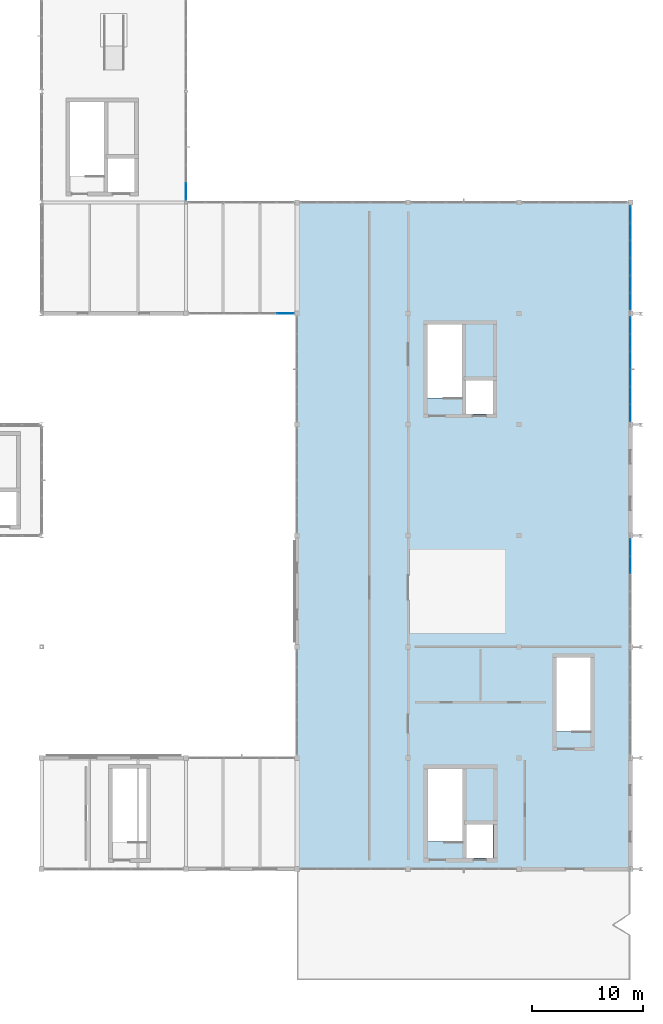
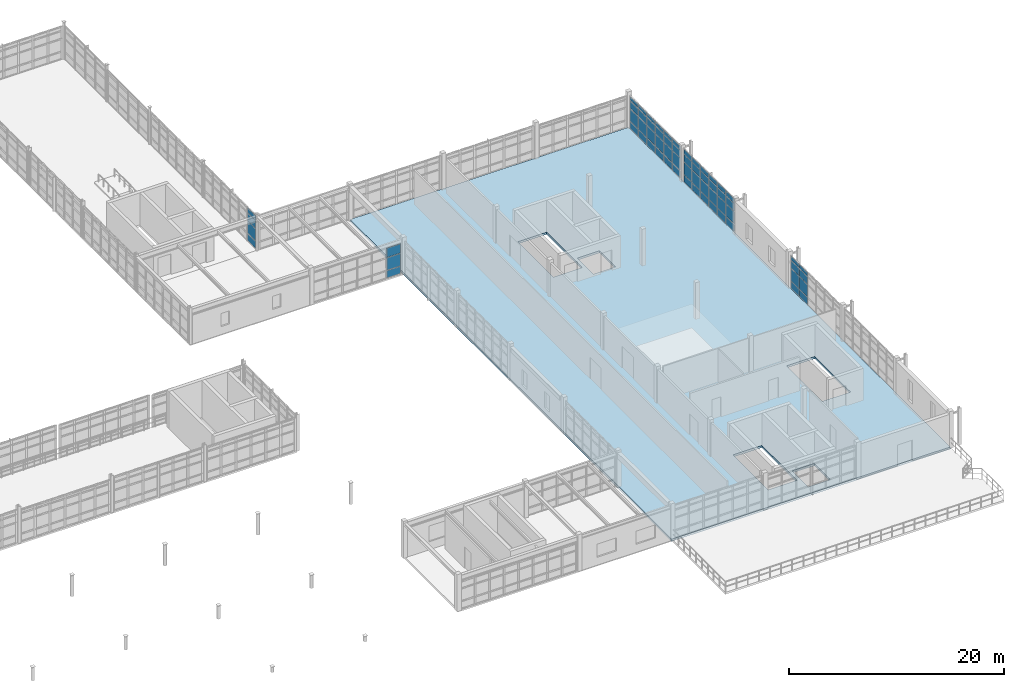
# One storey, part 92 of 122: 63 plates, 1 slab, 5 elements without a shape of their own.
"""IFC4 building model written with IfcOpenShell, lengths in metres."""

from ifc_helpers import new_model, si_unit, direction, frame, origin, origin_2d, place, context, subcontext, project, spatial, polyline, rectangle, outline, extrude, material, layer, layer_set, type_object, element, aggregate, save


model = new_model("IFC4")

# Units and contexts
model_context = context("Model", 3, precision=1e-05, world=origin(), true_north=direction((0.0, 1.0)))
body_context = subcontext(model_context, "Body", "Model", "MODEL_VIEW")
ifc_project = project(units=[si_unit("LENGTHUNIT", "METRE"), si_unit("AREAUNIT", "SQUARE_METRE"), si_unit("VOLUMEUNIT", "CUBIC_METRE"), si_unit("PLANEANGLEUNIT", "RADIAN"), si_unit("MASSUNIT", "GRAM", prefix="KILO"), si_unit("THERMODYNAMICTEMPERATUREUNIT", "KELVIN"), si_unit("POWERUNIT", "WATT")], contexts=[model_context])

# Site, building, storey
site_placement = place(None, origin())
site = spatial("IfcSite", under=ifc_project, at=site_placement, CompositionType="ELEMENT")
building_placement = place(site_placement, origin())
building = spatial("IfcBuilding", under=site, at=building_placement, Name="Korenveer Ferry Terminal", CompositionType="ELEMENT")
storey_placement = place(building_placement, frame((0.0, 0.0, 10.199951171875)))
storey = spatial("IfcBuildingStorey", under=building, at=storey_placement, Name="L02", CompositionType="ELEMENT", Elevation=10.199951171875)

# Curtain wall, plates
ifc_material_1 = material(Name="Unitised bronze-and-glass curtain wall", Category="glass")
ifc_layer_1 = layer(ifc_material_1, 0.159912109375)
ifc_layer_set_1 = layer_set([ifc_layer_1], Name="Unitised bronze-and-glass curtain wall")
curtain_wall_type_1 = type_object("IfcCurtainWallType", Name="ENV-CW-89", PredefinedType="USERDEFINED", material=ifc_layer_set_1)
curtain_wall_1_placement = place(storey_placement, frame((136.2548828125, 70.0, 0.0)))
curtain_wall_1 = element("IfcCurtainWall", 1, at=curtain_wall_1_placement, inside=storey, type_object=curtain_wall_type_1, Name="Lancet curtain wall CWX-L02-X136-146-Y70-70", ObjectType="UNITISED CURTAIN WALL", PredefinedType="USERDEFINED")
ifc_material_2 = material(Name="Low-iron solar-control double glazing", Category="glass")
ifc_layer_2 = layer(ifc_material_2, 0.028076171875)
ifc_layer_set_2 = layer_set([ifc_layer_2], Name="Low-iron solar-control double glazing")
plate_type_1 = type_object("IfcPlateType", Name="ENV-CWP-GLZ28", PredefinedType="CURTAIN_PANEL", material=ifc_layer_set_2)
plate_1_placement = place(storey_placement, frame((144.939208984375, 70.0, 0.06005859375), z_axis=(0.0, 0.0, 1.0), x_axis=(1.0, 0.0, 0.0)))
plate_1 = element("IfcPlate", 2, at=plate_1_placement, type_object=plate_type_1, Name="CW-89 panel 6.1", PredefinedType="CURTAIN_PANEL", context=body_context, shape_type="SweptSolid", body=[
    extrude(rectangle(XDim=1.49169921875, YDim=0.028076171875, at=origin_2d()), origin(), (0.0, 0.0, 1.0), 0.81005859375),
])
plate_2_placement = place(storey_placement, frame((144.939208984375, 70.0, 0.93017578125), z_axis=(0.0, 0.0, 1.0), x_axis=(1.0, 0.0, 0.0)))
plate_2 = element("IfcPlate", 3, at=plate_2_placement, type_object=plate_type_1, Name="CW-89 panel 6.2", PredefinedType="CURTAIN_PANEL", context=body_context, shape_type="SweptSolid", body=[
    extrude(rectangle(XDim=1.49169921875, YDim=0.028076171875, at=origin_2d()), origin(), (0.0, 0.0, 1.0), 1.389892578125),
])
plate_3_placement = place(storey_placement, frame((144.939208984375, 70.0, 2.380126953125), z_axis=(0.0, 0.0, 1.0), x_axis=(1.0, 0.0, 0.0)))
plate_3 = element("IfcPlate", 4, at=plate_3_placement, type_object=plate_type_1, Name="CW-89 panel 6.3", PredefinedType="CURTAIN_PANEL", context=body_context, shape_type="SweptSolid", body=[
    extrude(rectangle(XDim=1.49169921875, YDim=0.028076171875, at=origin_2d()), origin(), (0.0, 0.0, 1.0), 1.0400390625),
])
aggregate(curtain_wall_1, [plate_1, plate_2, plate_3])

ifc_layer_3 = layer(ifc_material_1, 0.159912109375)
ifc_layer_set_3 = layer_set([ifc_layer_3], Name="Unitised bronze-and-glass curtain wall")
curtain_wall_type_2 = type_object("IfcCurtainWallType", Name="ENV-CW-87", PredefinedType="USERDEFINED", material=ifc_layer_set_3)
curtain_wall_2_placement = place(storey_placement, frame((176.0, 49.7451171875, 0.0)))
curtain_wall_2 = element("IfcCurtainWall", 5, at=curtain_wall_2_placement, inside=storey, type_object=curtain_wall_type_2, Name="Lancet curtain wall CWX-L02-X176-176-Y40-50", ObjectType="UNITISED CURTAIN WALL", PredefinedType="USERDEFINED")
plate_4_placement = place(storey_placement, frame((176.0, 48.939208984375, 0.06005859375), z_axis=(0.0, 0.0, 1.0), x_axis=(0.0, -1.0, 0.0)))
plate_4 = element("IfcPlate", 6, at=plate_4_placement, type_object=plate_type_1, Name="CW-87 panel 1.1", PredefinedType="CURTAIN_PANEL", context=body_context, shape_type="SweptSolid", body=[
    extrude(rectangle(XDim=1.49169921875, YDim=0.028076171875, at=origin_2d()), origin(), (0.0, 0.0, 1.0), 0.81005859375),
])
plate_5_placement = place(storey_placement, frame((176.0, 48.939208984375, 0.93017578125), z_axis=(0.0, 0.0, 1.0), x_axis=(0.0, -1.0, 0.0)))
plate_5 = element("IfcPlate", 7, at=plate_5_placement, type_object=plate_type_1, Name="CW-87 panel 1.2", PredefinedType="CURTAIN_PANEL", context=body_context, shape_type="SweptSolid", body=[
    extrude(rectangle(XDim=1.49169921875, YDim=0.028076171875, at=origin_2d()), origin(), (0.0, 0.0, 1.0), 1.389892578125),
])
plate_6_placement = place(storey_placement, frame((176.0, 48.939208984375, 2.3798828125), z_axis=(0.0, 0.0, 1.0), x_axis=(0.0, -1.0, 0.0)))
plate_6 = element("IfcPlate", 8, at=plate_6_placement, type_object=plate_type_1, Name="CW-87 panel 1.3", PredefinedType="CURTAIN_PANEL", context=body_context, shape_type="SweptSolid", body=[
    extrude(rectangle(XDim=1.49169921875, YDim=0.028076171875, at=origin_2d()), origin(), (0.0, 0.0, 1.0), 0.840087890625),
])
plate_7_placement = place(storey_placement, frame((176.0, 48.939208984375, 3.280029296875), z_axis=(0.0, 0.0, 1.0), x_axis=(0.0, -1.0, 0.0)))
plate_7 = element("IfcPlate", 9, at=plate_7_placement, type_object=plate_type_1, Name="CW-87 panel 1.4", PredefinedType="CURTAIN_PANEL", context=body_context, shape_type="SweptSolid", body=[
    extrude(rectangle(XDim=1.49169921875, YDim=0.028076171875, at=origin_2d()), origin(), (0.0, 0.0, 1.0), 0.419921875),
])
plate_8_placement = place(storey_placement, frame((176.0, 47.37255859375, 0.06005859375), z_axis=(0.0, 0.0, 1.0), x_axis=(0.0, -1.0, 0.0)))
plate_8 = element("IfcPlate", 10, at=plate_8_placement, type_object=plate_type_1, Name="CW-87 panel 2.1", PredefinedType="CURTAIN_PANEL", context=body_context, shape_type="SweptSolid", body=[
    extrude(rectangle(XDim=1.521728515625, YDim=0.028076171875, at=origin_2d()), origin(), (0.0, 0.0, 1.0), 0.81005859375),
])
plate_9_placement = place(storey_placement, frame((176.0, 47.37255859375, 0.93017578125), z_axis=(0.0, 0.0, 1.0), x_axis=(0.0, -1.0, 0.0)))
plate_9 = element("IfcPlate", 11, at=plate_9_placement, type_object=plate_type_1, Name="CW-87 panel 2.2", PredefinedType="CURTAIN_PANEL", context=body_context, shape_type="SweptSolid", body=[
    extrude(rectangle(XDim=1.521728515625, YDim=0.028076171875, at=origin_2d()), origin(), (0.0, 0.0, 1.0), 1.389892578125),
])
plate_10_placement = place(storey_placement, frame((176.0, 47.37255859375, 2.3798828125), z_axis=(0.0, 0.0, 1.0), x_axis=(0.0, -1.0, 0.0)))
plate_10 = element("IfcPlate", 12, at=plate_10_placement, type_object=plate_type_1, Name="CW-87 panel 2.3", PredefinedType="CURTAIN_PANEL", context=body_context, shape_type="SweptSolid", body=[
    extrude(rectangle(XDim=1.521728515625, YDim=0.028076171875, at=origin_2d()), origin(), (0.0, 0.0, 1.0), 0.840087890625),
])
plate_11_placement = place(storey_placement, frame((176.0, 47.37255859375, 3.280029296875), z_axis=(0.0, 0.0, 1.0), x_axis=(0.0, -1.0, 0.0)))
plate_11 = element("IfcPlate", 13, at=plate_11_placement, type_object=plate_type_1, Name="CW-87 panel 2.4", PredefinedType="CURTAIN_PANEL", context=body_context, shape_type="SweptSolid", body=[
    extrude(rectangle(XDim=1.521728515625, YDim=0.028076171875, at=origin_2d()), origin(), (0.0, 0.0, 1.0), 0.419921875),
])
aggregate(curtain_wall_2, [plate_4, plate_5, plate_6, plate_7, plate_8, plate_9, plate_10, plate_11])

ifc_layer_4 = layer(ifc_material_1, 0.159912109375)
ifc_layer_set_4 = layer_set([ifc_layer_4], Name="Unitised bronze-and-glass curtain wall")
curtain_wall_type_3 = type_object("IfcCurtainWallType", Name="ENV-CW-86", PredefinedType="USERDEFINED", material=ifc_layer_set_4)
curtain_wall_3_placement = place(storey_placement, frame((176.0, 69.7451171875, 0.0)))
curtain_wall_3 = element("IfcCurtainWall", 14, at=curtain_wall_3_placement, inside=storey, type_object=curtain_wall_type_3, Name="Lancet curtain wall CWX-L02-X176-176-Y60-70", ObjectType="UNITISED CURTAIN WALL", PredefinedType="USERDEFINED")
plate_12_placement = place(storey_placement, frame((176.0, 68.939208984375, 0.06005859375), z_axis=(0.0, 0.0, 1.0), x_axis=(0.0, -1.0, 0.0)))
plate_12 = element("IfcPlate", 15, at=plate_12_placement, type_object=plate_type_1, Name="CW-86 panel 1.1", PredefinedType="CURTAIN_PANEL", context=body_context, shape_type="SweptSolid", body=[
    extrude(rectangle(XDim=1.49169921875, YDim=0.028076171875, at=origin_2d()), origin(), (0.0, 0.0, 1.0), 0.81005859375),
])
plate_13_placement = place(storey_placement, frame((176.0, 68.939208984375, 0.93017578125), z_axis=(0.0, 0.0, 1.0), x_axis=(0.0, -1.0, 0.0)))
plate_13 = element("IfcPlate", 16, at=plate_13_placement, type_object=plate_type_1, Name="CW-86 panel 1.2", PredefinedType="CURTAIN_PANEL", context=body_context, shape_type="SweptSolid", body=[
    extrude(rectangle(XDim=1.49169921875, YDim=0.028076171875, at=origin_2d()), origin(), (0.0, 0.0, 1.0), 1.389892578125),
])
plate_14_placement = place(storey_placement, frame((176.0, 68.939208984375, 2.3798828125), z_axis=(0.0, 0.0, 1.0), x_axis=(0.0, -1.0, 0.0)))
plate_14 = element("IfcPlate", 17, at=plate_14_placement, type_object=plate_type_1, Name="CW-86 panel 1.3", PredefinedType="CURTAIN_PANEL", context=body_context, shape_type="SweptSolid", body=[
    extrude(rectangle(XDim=1.49169921875, YDim=0.028076171875, at=origin_2d()), origin(), (0.0, 0.0, 1.0), 0.840087890625),
])
plate_15_placement = place(storey_placement, frame((176.0, 68.939208984375, 3.280029296875), z_axis=(0.0, 0.0, 1.0), x_axis=(0.0, -1.0, 0.0)))
plate_15 = element("IfcPlate", 18, at=plate_15_placement, type_object=plate_type_1, Name="CW-86 panel 1.4", PredefinedType="CURTAIN_PANEL", context=body_context, shape_type="SweptSolid", body=[
    extrude(rectangle(XDim=1.49169921875, YDim=0.028076171875, at=origin_2d()), origin(), (0.0, 0.0, 1.0), 0.52001953125),
])
plate_16_placement = place(storey_placement, frame((176.0, 67.37255859375, 0.06005859375), z_axis=(0.0, 0.0, 1.0), x_axis=(0.0, -1.0, 0.0)))
plate_16 = element("IfcPlate", 19, at=plate_16_placement, type_object=plate_type_1, Name="CW-86 panel 2.1", PredefinedType="CURTAIN_PANEL", context=body_context, shape_type="SweptSolid", body=[
    extrude(rectangle(XDim=1.521728515625, YDim=0.028076171875, at=origin_2d()), origin(), (0.0, 0.0, 1.0), 0.81005859375),
])
plate_17_placement = place(storey_placement, frame((176.0, 67.37255859375, 0.93017578125), z_axis=(0.0, 0.0, 1.0), x_axis=(0.0, -1.0, 0.0)))
plate_17 = element("IfcPlate", 20, at=plate_17_placement, type_object=plate_type_1, Name="CW-86 panel 2.2", PredefinedType="CURTAIN_PANEL", context=body_context, shape_type="SweptSolid", body=[
    extrude(rectangle(XDim=1.521728515625, YDim=0.028076171875, at=origin_2d()), origin(), (0.0, 0.0, 1.0), 1.389892578125),
])
plate_18_placement = place(storey_placement, frame((176.0, 67.37255859375, 2.3798828125), z_axis=(0.0, 0.0, 1.0), x_axis=(0.0, -1.0, 0.0)))
plate_18 = element("IfcPlate", 21, at=plate_18_placement, type_object=plate_type_1, Name="CW-86 panel 2.3", PredefinedType="CURTAIN_PANEL", context=body_context, shape_type="SweptSolid", body=[
    extrude(rectangle(XDim=1.521728515625, YDim=0.028076171875, at=origin_2d()), origin(), (0.0, 0.0, 1.0), 0.840087890625),
])
plate_19_placement = place(storey_placement, frame((176.0, 67.37255859375, 3.280029296875), z_axis=(0.0, 0.0, 1.0), x_axis=(0.0, -1.0, 0.0)))
plate_19 = element("IfcPlate", 22, at=plate_19_placement, type_object=plate_type_1, Name="CW-86 panel 2.4", PredefinedType="CURTAIN_PANEL", context=body_context, shape_type="SweptSolid", body=[
    extrude(rectangle(XDim=1.521728515625, YDim=0.028076171875, at=origin_2d()), origin(), (0.0, 0.0, 1.0), 0.52001953125),
])
plate_20_placement = place(storey_placement, frame((176.0, 65.790771484375, 0.06005859375), z_axis=(0.0, 0.0, 1.0), x_axis=(0.0, -1.0, 0.0)))
plate_20 = element("IfcPlate", 23, at=plate_20_placement, type_object=plate_type_1, Name="CW-86 panel 3.1", PredefinedType="CURTAIN_PANEL", context=body_context, shape_type="SweptSolid", body=[
    extrude(rectangle(XDim=1.521728515625, YDim=0.028076171875, at=origin_2d()), origin(), (0.0, 0.0, 1.0), 0.81005859375),
])
plate_21_placement = place(storey_placement, frame((176.0, 65.790771484375, 0.93017578125), z_axis=(0.0, 0.0, 1.0), x_axis=(0.0, -1.0, 0.0)))
plate_21 = element("IfcPlate", 24, at=plate_21_placement, type_object=plate_type_1, Name="CW-86 panel 3.2", PredefinedType="CURTAIN_PANEL", context=body_context, shape_type="SweptSolid", body=[
    extrude(rectangle(XDim=1.521728515625, YDim=0.028076171875, at=origin_2d()), origin(), (0.0, 0.0, 1.0), 1.389892578125),
])
plate_22_placement = place(storey_placement, frame((176.0, 65.790771484375, 2.3798828125), z_axis=(0.0, 0.0, 1.0), x_axis=(0.0, -1.0, 0.0)))
plate_22 = element("IfcPlate", 25, at=plate_22_placement, type_object=plate_type_1, Name="CW-86 panel 3.3", PredefinedType="CURTAIN_PANEL", context=body_context, shape_type="SweptSolid", body=[
    extrude(rectangle(XDim=1.521728515625, YDim=0.028076171875, at=origin_2d()), origin(), (0.0, 0.0, 1.0), 0.840087890625),
])
plate_23_placement = place(storey_placement, frame((176.0, 65.790771484375, 3.280029296875), z_axis=(0.0, 0.0, 1.0), x_axis=(0.0, -1.0, 0.0)))
plate_23 = element("IfcPlate", 26, at=plate_23_placement, type_object=plate_type_1, Name="CW-86 panel 3.4", PredefinedType="CURTAIN_PANEL", context=body_context, shape_type="SweptSolid", body=[
    extrude(rectangle(XDim=1.521728515625, YDim=0.028076171875, at=origin_2d()), origin(), (0.0, 0.0, 1.0), 0.52001953125),
])
plate_24_placement = place(storey_placement, frame((176.0, 64.209228515625, 0.06005859375), z_axis=(0.0, 0.0, 1.0), x_axis=(0.0, -1.0, 0.0)))
plate_24 = element("IfcPlate", 27, at=plate_24_placement, type_object=plate_type_1, Name="CW-86 panel 4.1", PredefinedType="CURTAIN_PANEL", context=body_context, shape_type="SweptSolid", body=[
    extrude(rectangle(XDim=1.521728515625, YDim=0.028076171875, at=origin_2d()), origin(), (0.0, 0.0, 1.0), 0.81005859375),
])
plate_25_placement = place(storey_placement, frame((176.0, 64.209228515625, 0.93017578125), z_axis=(0.0, 0.0, 1.0), x_axis=(0.0, -1.0, 0.0)))
plate_25 = element("IfcPlate", 28, at=plate_25_placement, type_object=plate_type_1, Name="CW-86 panel 4.2", PredefinedType="CURTAIN_PANEL", context=body_context, shape_type="SweptSolid", body=[
    extrude(rectangle(XDim=1.521728515625, YDim=0.028076171875, at=origin_2d()), origin(), (0.0, 0.0, 1.0), 1.389892578125),
])
plate_26_placement = place(storey_placement, frame((176.0, 64.209228515625, 2.3798828125), z_axis=(0.0, 0.0, 1.0), x_axis=(0.0, -1.0, 0.0)))
plate_26 = element("IfcPlate", 29, at=plate_26_placement, type_object=plate_type_1, Name="CW-86 panel 4.3", PredefinedType="CURTAIN_PANEL", context=body_context, shape_type="SweptSolid", body=[
    extrude(rectangle(XDim=1.521728515625, YDim=0.028076171875, at=origin_2d()), origin(), (0.0, 0.0, 1.0), 0.840087890625),
])
plate_27_placement = place(storey_placement, frame((176.0, 64.209228515625, 3.280029296875), z_axis=(0.0, 0.0, 1.0), x_axis=(0.0, -1.0, 0.0)))
plate_27 = element("IfcPlate", 30, at=plate_27_placement, type_object=plate_type_1, Name="CW-86 panel 4.4", PredefinedType="CURTAIN_PANEL", context=body_context, shape_type="SweptSolid", body=[
    extrude(rectangle(XDim=1.521728515625, YDim=0.028076171875, at=origin_2d()), origin(), (0.0, 0.0, 1.0), 0.52001953125),
])
plate_28_placement = place(storey_placement, frame((176.0, 62.62744140625, 0.06005859375), z_axis=(0.0, 0.0, 1.0), x_axis=(0.0, -1.0, 0.0)))
plate_28 = element("IfcPlate", 31, at=plate_28_placement, type_object=plate_type_1, Name="CW-86 panel 5.1", PredefinedType="CURTAIN_PANEL", context=body_context, shape_type="SweptSolid", body=[
    extrude(rectangle(XDim=1.521728515625, YDim=0.028076171875, at=origin_2d()), origin(), (0.0, 0.0, 1.0), 0.81005859375),
])
plate_29_placement = place(storey_placement, frame((176.0, 62.62744140625, 0.93017578125), z_axis=(0.0, 0.0, 1.0), x_axis=(0.0, -1.0, 0.0)))
plate_29 = element("IfcPlate", 32, at=plate_29_placement, type_object=plate_type_1, Name="CW-86 panel 5.2", PredefinedType="CURTAIN_PANEL", context=body_context, shape_type="SweptSolid", body=[
    extrude(rectangle(XDim=1.521728515625, YDim=0.028076171875, at=origin_2d()), origin(), (0.0, 0.0, 1.0), 1.389892578125),
])
plate_30_placement = place(storey_placement, frame((176.0, 62.62744140625, 2.3798828125), z_axis=(0.0, 0.0, 1.0), x_axis=(0.0, -1.0, 0.0)))
plate_30 = element("IfcPlate", 33, at=plate_30_placement, type_object=plate_type_1, Name="CW-86 panel 5.3", PredefinedType="CURTAIN_PANEL", context=body_context, shape_type="SweptSolid", body=[
    extrude(rectangle(XDim=1.521728515625, YDim=0.028076171875, at=origin_2d()), origin(), (0.0, 0.0, 1.0), 0.840087890625),
])
plate_31_placement = place(storey_placement, frame((176.0, 62.62744140625, 3.280029296875), z_axis=(0.0, 0.0, 1.0), x_axis=(0.0, -1.0, 0.0)))
plate_31 = element("IfcPlate", 34, at=plate_31_placement, type_object=plate_type_1, Name="CW-86 panel 5.4", PredefinedType="CURTAIN_PANEL", context=body_context, shape_type="SweptSolid", body=[
    extrude(rectangle(XDim=1.521728515625, YDim=0.028076171875, at=origin_2d()), origin(), (0.0, 0.0, 1.0), 0.52001953125),
])
plate_32_placement = place(storey_placement, frame((176.0, 61.060791015625, 0.06005859375), z_axis=(0.0, 0.0, 1.0), x_axis=(0.0, -1.0, 0.0)))
plate_32 = element("IfcPlate", 35, at=plate_32_placement, type_object=plate_type_1, Name="CW-86 panel 6.1", PredefinedType="CURTAIN_PANEL", context=body_context, shape_type="SweptSolid", body=[
    extrude(rectangle(XDim=1.49169921875, YDim=0.028076171875, at=origin_2d()), origin(), (0.0, 0.0, 1.0), 0.81005859375),
])
plate_33_placement = place(storey_placement, frame((176.0, 61.060791015625, 0.93017578125), z_axis=(0.0, 0.0, 1.0), x_axis=(0.0, -1.0, 0.0)))
plate_33 = element("IfcPlate", 36, at=plate_33_placement, type_object=plate_type_1, Name="CW-86 panel 6.2", PredefinedType="CURTAIN_PANEL", context=body_context, shape_type="SweptSolid", body=[
    extrude(rectangle(XDim=1.49169921875, YDim=0.028076171875, at=origin_2d()), origin(), (0.0, 0.0, 1.0), 1.389892578125),
])
plate_34_placement = place(storey_placement, frame((176.0, 61.060791015625, 2.3798828125), z_axis=(0.0, 0.0, 1.0), x_axis=(0.0, -1.0, 0.0)))
plate_34 = element("IfcPlate", 37, at=plate_34_placement, type_object=plate_type_1, Name="CW-86 panel 6.3", PredefinedType="CURTAIN_PANEL", context=body_context, shape_type="SweptSolid", body=[
    extrude(rectangle(XDim=1.49169921875, YDim=0.028076171875, at=origin_2d()), origin(), (0.0, 0.0, 1.0), 0.840087890625),
])
plate_35_placement = place(storey_placement, frame((176.0, 61.060791015625, 3.280029296875), z_axis=(0.0, 0.0, 1.0), x_axis=(0.0, -1.0, 0.0)))
plate_35 = element("IfcPlate", 38, at=plate_35_placement, type_object=plate_type_1, Name="CW-86 panel 6.4", PredefinedType="CURTAIN_PANEL", context=body_context, shape_type="SweptSolid", body=[
    extrude(rectangle(XDim=1.49169921875, YDim=0.028076171875, at=origin_2d()), origin(), (0.0, 0.0, 1.0), 0.52001953125),
])
aggregate(curtain_wall_3, [plate_12, plate_13, plate_14, plate_15, plate_16, plate_17, plate_18, plate_19, plate_20, plate_21, plate_22, plate_23, plate_24, plate_25, plate_26, plate_27, plate_28, plate_29, plate_30, plate_31, plate_32, plate_33, plate_34, plate_35])

ifc_layer_5 = layer(ifc_material_1, 0.219970703125)
ifc_layer_set_5 = layer_set([ifc_layer_5], Name="Unitised bronze-and-glass curtain wall")
curtain_wall_type_4 = type_object("IfcCurtainWallType", Name="ENV-CW-110", PredefinedType="USERDEFINED", material=ifc_layer_set_5)
curtain_wall_4_placement = place(storey_placement, frame((136.0, 89.83349609375, 0.0)))
curtain_wall_4 = element("IfcCurtainWall", 39, at=curtain_wall_4_placement, inside=storey, type_object=curtain_wall_type_4, Name="Lancet curtain wall CWX-L02-X136-136-Y80-90", ObjectType="UNITISED CURTAIN WALL", PredefinedType="USERDEFINED")
ifc_material_3 = material(Name="Acoustic laminated marine glazing", Category="glass")
ifc_layer_6 = layer(ifc_material_3, 0.035888671875)
ifc_layer_set_6 = layer_set([ifc_layer_6], Name="Acoustic laminated marine glazing")
plate_type_2 = type_object("IfcPlateType", Name="ENV-CWP-GLZ36", PredefinedType="CURTAIN_PANEL", material=ifc_layer_set_6)
plate_36_placement = place(storey_placement, frame((136.0, 80.99072265625, 0.074951171875), z_axis=(0.0, 0.0, 1.0), x_axis=(0.0, -1.0, 0.0)))
plate_36 = element("IfcPlate", 40, at=plate_36_placement, type_object=plate_type_2, Name="CW-110 panel 6.1", PredefinedType="CURTAIN_PANEL", context=body_context, shape_type="SweptSolid", body=[
    extrude(rectangle(XDim=1.498779296875, YDim=0.035888671875, at=origin_2d()), origin(), (0.0, 0.0, 1.0), 0.78759765625),
])
plate_37_placement = place(storey_placement, frame((136.0, 80.99072265625, 0.9375), z_axis=(0.0, 0.0, 1.0), x_axis=(0.0, -1.0, 0.0)))
plate_37 = element("IfcPlate", 41, at=plate_37_placement, type_object=plate_type_2, Name="CW-110 panel 6.2", PredefinedType="CURTAIN_PANEL", context=body_context, shape_type="SweptSolid", body=[
    extrude(rectangle(XDim=1.498779296875, YDim=0.035888671875, at=origin_2d()), origin(), (0.0, 0.0, 1.0), 1.375),
])
plate_38_placement = place(storey_placement, frame((136.0, 80.99072265625, 2.3876953125), z_axis=(0.0, 0.0, 1.0), x_axis=(0.0, -1.0, 0.0)))
plate_38 = element("IfcPlate", 42, at=plate_38_placement, type_object=plate_type_2, Name="CW-110 panel 6.3", PredefinedType="CURTAIN_PANEL", context=body_context, shape_type="SweptSolid", body=[
    extrude(rectangle(XDim=1.498779296875, YDim=0.035888671875, at=origin_2d()), origin(), (0.0, 0.0, 1.0), 0.824951171875),
])
plate_39_placement = place(storey_placement, frame((136.0, 80.99072265625, 3.28759765625), z_axis=(0.0, 0.0, 1.0), x_axis=(0.0, -1.0, 0.0)))
plate_39 = element("IfcPlate", 43, at=plate_39_placement, type_object=plate_type_2, Name="CW-110 panel 6.4", PredefinedType="CURTAIN_PANEL", context=body_context, shape_type="SweptSolid", body=[
    extrude(rectangle(XDim=1.498779296875, YDim=0.035888671875, at=origin_2d()), origin(), (0.0, 0.0, 1.0), 0.49755859375),
])
aggregate(curtain_wall_4, [plate_36, plate_37, plate_38, plate_39])

ifc_layer_7 = layer(ifc_material_1, 0.219970703125)
ifc_layer_set_7 = layer_set([ifc_layer_7], Name="Unitised bronze-and-glass curtain wall")
curtain_wall_type_5 = type_object("IfcCurtainWallType", Name="ENV-CW-100", PredefinedType="USERDEFINED", material=ifc_layer_set_7)
curtain_wall_5_placement = place(storey_placement, frame((176.0, 79.7451171875, 0.0)))
curtain_wall_5 = element("IfcCurtainWall", 44, at=curtain_wall_5_placement, inside=storey, type_object=curtain_wall_type_5, Name="Lancet curtain wall CWX-L02-X176-176-Y70-80", ObjectType="UNITISED CURTAIN WALL", PredefinedType="USERDEFINED")
plate_40_placement = place(storey_placement, frame((176.0, 78.935302734375, 0.074951171875), z_axis=(0.0, 0.0, 1.0), x_axis=(0.0, -1.0, 0.0)))
plate_40 = element("IfcPlate", 45, at=plate_40_placement, type_object=plate_type_2, Name="CW-100 panel 1.1", PredefinedType="CURTAIN_PANEL", context=body_context, shape_type="SweptSolid", body=[
    extrude(rectangle(XDim=1.46923828125, YDim=0.035888671875, at=origin_2d()), origin(), (0.0, 0.0, 1.0), 0.78759765625),
])
plate_41_placement = place(storey_placement, frame((176.0, 78.935302734375, 0.9375), z_axis=(0.0, 0.0, 1.0), x_axis=(0.0, -1.0, 0.0)))
plate_41 = element("IfcPlate", 46, at=plate_41_placement, type_object=plate_type_2, Name="CW-100 panel 1.2", PredefinedType="CURTAIN_PANEL", context=body_context, shape_type="SweptSolid", body=[
    extrude(rectangle(XDim=1.46923828125, YDim=0.035888671875, at=origin_2d()), origin(), (0.0, 0.0, 1.0), 1.375),
])
plate_42_placement = place(storey_placement, frame((176.0, 78.935302734375, 2.3876953125), z_axis=(0.0, 0.0, 1.0), x_axis=(0.0, -1.0, 0.0)))
plate_42 = element("IfcPlate", 47, at=plate_42_placement, type_object=plate_type_2, Name="CW-100 panel 1.3", PredefinedType="CURTAIN_PANEL", context=body_context, shape_type="SweptSolid", body=[
    extrude(rectangle(XDim=1.46923828125, YDim=0.035888671875, at=origin_2d()), origin(), (0.0, 0.0, 1.0), 0.824951171875),
])
plate_43_placement = place(storey_placement, frame((176.0, 78.935302734375, 3.28759765625), z_axis=(0.0, 0.0, 1.0), x_axis=(0.0, -1.0, 0.0)))
plate_43 = element("IfcPlate", 48, at=plate_43_placement, type_object=plate_type_2, Name="CW-100 panel 1.4", PredefinedType="CURTAIN_PANEL", context=body_context, shape_type="SweptSolid", body=[
    extrude(rectangle(XDim=1.46923828125, YDim=0.035888671875, at=origin_2d()), origin(), (0.0, 0.0, 1.0), 0.3974609375),
])
plate_44_placement = place(storey_placement, frame((176.0, 77.37255859375, 0.074951171875), z_axis=(0.0, 0.0, 1.0), x_axis=(0.0, -1.0, 0.0)))
plate_44 = element("IfcPlate", 49, at=plate_44_placement, type_object=plate_type_2, Name="CW-100 panel 2.1", PredefinedType="CURTAIN_PANEL", context=body_context, shape_type="SweptSolid", body=[
    extrude(rectangle(XDim=1.506591796875, YDim=0.035888671875, at=origin_2d()), origin(), (0.0, 0.0, 1.0), 0.78759765625),
])
plate_45_placement = place(storey_placement, frame((176.0, 77.37255859375, 0.9375), z_axis=(0.0, 0.0, 1.0), x_axis=(0.0, -1.0, 0.0)))
plate_45 = element("IfcPlate", 50, at=plate_45_placement, type_object=plate_type_2, Name="CW-100 panel 2.2", PredefinedType="CURTAIN_PANEL", context=body_context, shape_type="SweptSolid", body=[
    extrude(rectangle(XDim=1.506591796875, YDim=0.035888671875, at=origin_2d()), origin(), (0.0, 0.0, 1.0), 1.375),
])
plate_46_placement = place(storey_placement, frame((176.0, 77.37255859375, 2.3876953125), z_axis=(0.0, 0.0, 1.0), x_axis=(0.0, -1.0, 0.0)))
plate_46 = element("IfcPlate", 51, at=plate_46_placement, type_object=plate_type_2, Name="CW-100 panel 2.3", PredefinedType="CURTAIN_PANEL", context=body_context, shape_type="SweptSolid", body=[
    extrude(rectangle(XDim=1.506591796875, YDim=0.035888671875, at=origin_2d()), origin(), (0.0, 0.0, 1.0), 0.824951171875),
])
plate_47_placement = place(storey_placement, frame((176.0, 77.37255859375, 3.28759765625), z_axis=(0.0, 0.0, 1.0), x_axis=(0.0, -1.0, 0.0)))
plate_47 = element("IfcPlate", 52, at=plate_47_placement, type_object=plate_type_2, Name="CW-100 panel 2.4", PredefinedType="CURTAIN_PANEL", context=body_context, shape_type="SweptSolid", body=[
    extrude(rectangle(XDim=1.506591796875, YDim=0.035888671875, at=origin_2d()), origin(), (0.0, 0.0, 1.0), 0.3974609375),
])
plate_48_placement = place(storey_placement, frame((176.0, 75.790771484375, 0.074951171875), z_axis=(0.0, 0.0, 1.0), x_axis=(0.0, -1.0, 0.0)))
plate_48 = element("IfcPlate", 53, at=plate_48_placement, type_object=plate_type_2, Name="CW-100 panel 3.1", PredefinedType="CURTAIN_PANEL", context=body_context, shape_type="SweptSolid", body=[
    extrude(rectangle(XDim=1.506591796875, YDim=0.035888671875, at=origin_2d()), origin(), (0.0, 0.0, 1.0), 0.78759765625),
])
plate_49_placement = place(storey_placement, frame((176.0, 75.790771484375, 0.9375), z_axis=(0.0, 0.0, 1.0), x_axis=(0.0, -1.0, 0.0)))
plate_49 = element("IfcPlate", 54, at=plate_49_placement, type_object=plate_type_2, Name="CW-100 panel 3.2", PredefinedType="CURTAIN_PANEL", context=body_context, shape_type="SweptSolid", body=[
    extrude(rectangle(XDim=1.506591796875, YDim=0.035888671875, at=origin_2d()), origin(), (0.0, 0.0, 1.0), 1.375),
])
plate_50_placement = place(storey_placement, frame((176.0, 75.790771484375, 2.3876953125), z_axis=(0.0, 0.0, 1.0), x_axis=(0.0, -1.0, 0.0)))
plate_50 = element("IfcPlate", 55, at=plate_50_placement, type_object=plate_type_2, Name="CW-100 panel 3.3", PredefinedType="CURTAIN_PANEL", context=body_context, shape_type="SweptSolid", body=[
    extrude(rectangle(XDim=1.506591796875, YDim=0.035888671875, at=origin_2d()), origin(), (0.0, 0.0, 1.0), 0.824951171875),
])
plate_51_placement = place(storey_placement, frame((176.0, 75.790771484375, 3.28759765625), z_axis=(0.0, 0.0, 1.0), x_axis=(0.0, -1.0, 0.0)))
plate_51 = element("IfcPlate", 56, at=plate_51_placement, type_object=plate_type_2, Name="CW-100 panel 3.4", PredefinedType="CURTAIN_PANEL", context=body_context, shape_type="SweptSolid", body=[
    extrude(rectangle(XDim=1.506591796875, YDim=0.035888671875, at=origin_2d()), origin(), (0.0, 0.0, 1.0), 0.3974609375),
])
plate_52_placement = place(storey_placement, frame((176.0, 74.209228515625, 0.074951171875), z_axis=(0.0, 0.0, 1.0), x_axis=(0.0, -1.0, 0.0)))
plate_52 = element("IfcPlate", 57, at=plate_52_placement, type_object=plate_type_2, Name="CW-100 panel 4.1", PredefinedType="CURTAIN_PANEL", context=body_context, shape_type="SweptSolid", body=[
    extrude(rectangle(XDim=1.506591796875, YDim=0.035888671875, at=origin_2d()), origin(), (0.0, 0.0, 1.0), 0.78759765625),
])
plate_53_placement = place(storey_placement, frame((176.0, 74.209228515625, 0.9375), z_axis=(0.0, 0.0, 1.0), x_axis=(0.0, -1.0, 0.0)))
plate_53 = element("IfcPlate", 58, at=plate_53_placement, type_object=plate_type_2, Name="CW-100 panel 4.2", PredefinedType="CURTAIN_PANEL", context=body_context, shape_type="SweptSolid", body=[
    extrude(rectangle(XDim=1.506591796875, YDim=0.035888671875, at=origin_2d()), origin(), (0.0, 0.0, 1.0), 1.375),
])
plate_54_placement = place(storey_placement, frame((176.0, 74.209228515625, 2.3876953125), z_axis=(0.0, 0.0, 1.0), x_axis=(0.0, -1.0, 0.0)))
plate_54 = element("IfcPlate", 59, at=plate_54_placement, type_object=plate_type_2, Name="CW-100 panel 4.3", PredefinedType="CURTAIN_PANEL", context=body_context, shape_type="SweptSolid", body=[
    extrude(rectangle(XDim=1.506591796875, YDim=0.035888671875, at=origin_2d()), origin(), (0.0, 0.0, 1.0), 0.824951171875),
])
plate_55_placement = place(storey_placement, frame((176.0, 74.209228515625, 3.28759765625), z_axis=(0.0, 0.0, 1.0), x_axis=(0.0, -1.0, 0.0)))
plate_55 = element("IfcPlate", 60, at=plate_55_placement, type_object=plate_type_2, Name="CW-100 panel 4.4", PredefinedType="CURTAIN_PANEL", context=body_context, shape_type="SweptSolid", body=[
    extrude(rectangle(XDim=1.506591796875, YDim=0.035888671875, at=origin_2d()), origin(), (0.0, 0.0, 1.0), 0.3974609375),
])
plate_56_placement = place(storey_placement, frame((176.0, 72.62744140625, 0.074951171875), z_axis=(0.0, 0.0, 1.0), x_axis=(0.0, -1.0, 0.0)))
plate_56 = element("IfcPlate", 61, at=plate_56_placement, type_object=plate_type_2, Name="CW-100 panel 5.1", PredefinedType="CURTAIN_PANEL", context=body_context, shape_type="SweptSolid", body=[
    extrude(rectangle(XDim=1.506591796875, YDim=0.035888671875, at=origin_2d()), origin(), (0.0, 0.0, 1.0), 0.78759765625),
])
plate_57_placement = place(storey_placement, frame((176.0, 72.62744140625, 0.9375), z_axis=(0.0, 0.0, 1.0), x_axis=(0.0, -1.0, 0.0)))
plate_57 = element("IfcPlate", 62, at=plate_57_placement, type_object=plate_type_2, Name="CW-100 panel 5.2", PredefinedType="CURTAIN_PANEL", context=body_context, shape_type="SweptSolid", body=[
    extrude(rectangle(XDim=1.506591796875, YDim=0.035888671875, at=origin_2d()), origin(), (0.0, 0.0, 1.0), 1.375),
])
plate_58_placement = place(storey_placement, frame((176.0, 72.62744140625, 2.3876953125), z_axis=(0.0, 0.0, 1.0), x_axis=(0.0, -1.0, 0.0)))
plate_58 = element("IfcPlate", 63, at=plate_58_placement, type_object=plate_type_2, Name="CW-100 panel 5.3", PredefinedType="CURTAIN_PANEL", context=body_context, shape_type="SweptSolid", body=[
    extrude(rectangle(XDim=1.506591796875, YDim=0.035888671875, at=origin_2d()), origin(), (0.0, 0.0, 1.0), 0.824951171875),
])
plate_59_placement = place(storey_placement, frame((176.0, 72.62744140625, 3.28759765625), z_axis=(0.0, 0.0, 1.0), x_axis=(0.0, -1.0, 0.0)))
plate_59 = element("IfcPlate", 64, at=plate_59_placement, type_object=plate_type_2, Name="CW-100 panel 5.4", PredefinedType="CURTAIN_PANEL", context=body_context, shape_type="SweptSolid", body=[
    extrude(rectangle(XDim=1.506591796875, YDim=0.035888671875, at=origin_2d()), origin(), (0.0, 0.0, 1.0), 0.3974609375),
])
plate_60_placement = place(storey_placement, frame((176.0, 71.064697265625, 0.074951171875), z_axis=(0.0, 0.0, 1.0), x_axis=(0.0, -1.0, 0.0)))
plate_60 = element("IfcPlate", 65, at=plate_60_placement, type_object=plate_type_2, Name="CW-100 panel 6.1", PredefinedType="CURTAIN_PANEL", context=body_context, shape_type="SweptSolid", body=[
    extrude(rectangle(XDim=1.46923828125, YDim=0.035888671875, at=origin_2d()), origin(), (0.0, 0.0, 1.0), 0.78759765625),
])
plate_61_placement = place(storey_placement, frame((176.0, 71.064697265625, 0.9375), z_axis=(0.0, 0.0, 1.0), x_axis=(0.0, -1.0, 0.0)))
plate_61 = element("IfcPlate", 66, at=plate_61_placement, type_object=plate_type_2, Name="CW-100 panel 6.2", PredefinedType="CURTAIN_PANEL", context=body_context, shape_type="SweptSolid", body=[
    extrude(rectangle(XDim=1.46923828125, YDim=0.035888671875, at=origin_2d()), origin(), (0.0, 0.0, 1.0), 1.375),
])
plate_62_placement = place(storey_placement, frame((176.0, 71.064697265625, 2.3876953125), z_axis=(0.0, 0.0, 1.0), x_axis=(0.0, -1.0, 0.0)))
plate_62 = element("IfcPlate", 67, at=plate_62_placement, type_object=plate_type_2, Name="CW-100 panel 6.3", PredefinedType="CURTAIN_PANEL", context=body_context, shape_type="SweptSolid", body=[
    extrude(rectangle(XDim=1.46923828125, YDim=0.035888671875, at=origin_2d()), origin(), (0.0, 0.0, 1.0), 0.824951171875),
])
plate_63_placement = place(storey_placement, frame((176.0, 71.064697265625, 3.28759765625), z_axis=(0.0, 0.0, 1.0), x_axis=(0.0, -1.0, 0.0)))
plate_63 = element("IfcPlate", 68, at=plate_63_placement, type_object=plate_type_2, Name="CW-100 panel 6.4", PredefinedType="CURTAIN_PANEL", context=body_context, shape_type="SweptSolid", body=[
    extrude(rectangle(XDim=1.46923828125, YDim=0.035888671875, at=origin_2d()), origin(), (0.0, 0.0, 1.0), 0.3974609375),
])
aggregate(curtain_wall_5, [plate_40, plate_41, plate_42, plate_43, plate_44, plate_45, plate_46, plate_47, plate_48, plate_49, plate_50, plate_51, plate_52, plate_53, plate_54, plate_55, plate_56, plate_57, plate_58, plate_59, plate_60, plate_61, plate_62, plate_63])

# Slab
ifc_material_4 = material(Name="Concrete C35/45", Category="concrete")
ifc_layer_8 = layer(ifc_material_4, 0.25)
ifc_layer_set_8 = layer_set([ifc_layer_8], Name="Concrete C35/45")
slab_type = type_object("IfcSlabType", Name="STR-SL-FLR250", PredefinedType="FLOOR", material=ifc_layer_set_8)
slab_placement = place(storey_placement, frame((0.0, 0.0, -0.25)))
element("IfcSlab", 69, at=slab_placement, inside=storey, type_object=slab_type, Name="Floor slab SL-L02-E1", PredefinedType="FLOOR", context=body_context, shape_type="SweptSolid", body=[
    extrude(outline(polyline([(146.0, 20.0), (176.0, 20.0), (176.0, 80.0), (146.0, 80.0), (146.0, 20.0)]), holes=[polyline([(160.89990234375, 22.449951171875), (160.89990234375, 29.0), (157.800048828125, 29.0), (157.800048828125, 22.449951171875), (160.89990234375, 22.449951171875)]), polyline([(161.260009765625, 21.0), (163.659912109375, 21.0), (163.659912109375, 24.0), (161.260009765625, 24.0), (161.260009765625, 21.0)]), polyline([(160.860107421875, 62.409912109375), (160.860107421875, 69.0400390625), (157.760009765625, 69.0400390625), (157.760009765625, 62.409912109375), (160.860107421875, 62.409912109375)]), polyline([(161.219970703125, 60.9599609375), (163.6201171875, 60.9599609375), (163.6201171875, 63.9599609375), (161.219970703125, 63.9599609375), (161.219970703125, 60.9599609375)]), polyline([(172.39990234375, 32.3798828125), (172.39990234375, 39.0400390625), (169.360107421875, 39.0400390625), (169.360107421875, 32.3798828125), (172.39990234375, 32.3798828125)])]), origin(), (0.0, 0.0, 1.0), 0.25),
])

save(model, "model.ifc")
